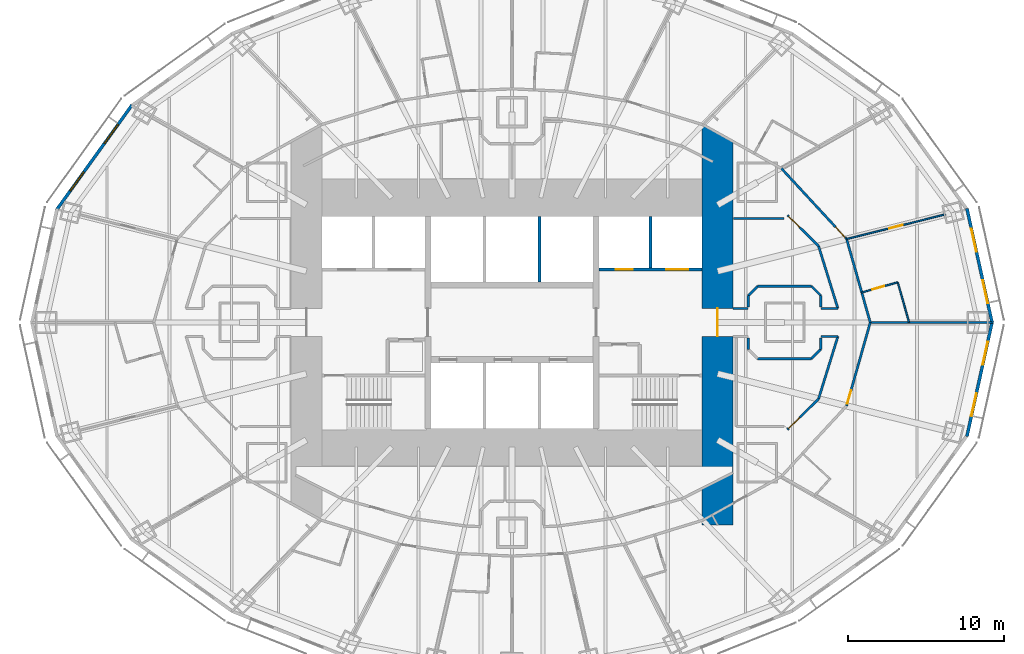
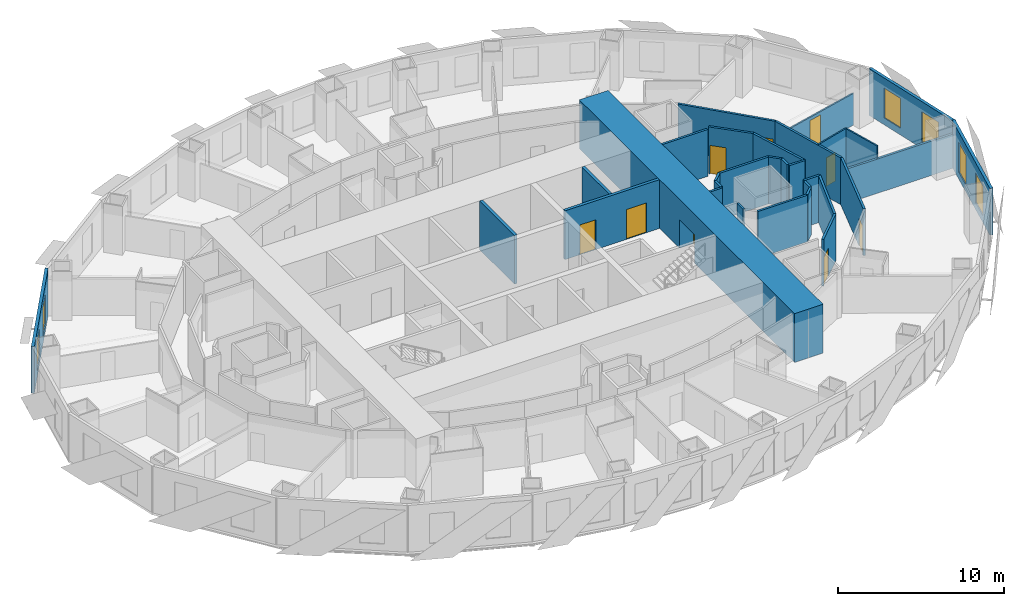
# One storey, part 8 of 15: 31 walls, 9 doors, 6 windows, 15 openings.
"""IFC4 building model written with IfcOpenShell, lengths in metres."""

import ifcopenshell
import ifcopenshell.guid

model = None  # the IFC model being written
_history = None  # IfcOwnerHistory: only IFC2X3 demands one
_inside = {}  # id of a spatial element -> (the spatial element, [elements in it])
_under = {}  # id of a project, library or spatial element -> (it, [spatial elements below it])
_declared = {}  # id of a project -> (the project, [libraries it declares])
_typed = {}  # id of a type object -> (the type object, [elements of that type])
_made_of = {}  # id of a material, layer set ... -> (it, [elements and type objects made of it])


def new_model(schema):
    """Start an empty IFC model of exactly this schema.

    Asked for "IFC4X3", IfcOpenShell would pick the latest addendum, in which some entities
    have other attributes; the version numbers below select the first issue.
    IFC2X3 requires an IfcOwnerHistory on every rooted entity: one is made here for all.
    """
    global model, _history
    if schema == "IFC4X3":
        model = ifcopenshell.file(schema_version=(4, 3, 0, 0))
    else:
        model = ifcopenshell.file(schema=schema)
    _inside.clear()
    _under.clear()
    _declared.clear()
    _typed.clear()
    _made_of.clear()
    _history = None
    if model.schema == "IFC2X3":
        org = make("IfcOrganization", Name="unknown")
        user = make(
            "IfcPersonAndOrganization",
            ThePerson=make("IfcPerson", FamilyName="unknown"),
            TheOrganization=org,
        )
        app = make(
            "IfcApplication",
            ApplicationDeveloper=org,
            Version="unknown",
            ApplicationFullName="unknown",
            ApplicationIdentifier="unknown",
        )
        _history = make(
            "IfcOwnerHistory",
            OwningUser=user,
            OwningApplication=app,
            ChangeAction="ADDED",
            CreationDate=0,
        )
    return model


def make(cls, **values):
    """One entity of the class cls with the attributes given. An attribute that is None is left unset."""
    return model.create_entity(
        cls, **{name: value for name, value in values.items() if value is not None}
    )


def rooted(cls, **values):
    """An entity with a GlobalId (a new one), such as an element, a storey or a relation."""
    return make(cls, GlobalId=ifcopenshell.guid.new(), OwnerHistory=_history, **values)


def si_unit(unit_type, name, prefix=None):
    """IfcSIUnit, for example si_unit("LENGTHUNIT", "METRE", prefix="MILLI")."""
    return make("IfcSIUnit", UnitType=unit_type, Prefix=prefix, Name=name)


def assignment(units):
    """IfcUnitAssignment: the units of a project."""
    return None if units is None else make("IfcUnitAssignment", Units=units)


def point(xyz):
    """IfcCartesianPoint."""
    return None if xyz is None else make("IfcCartesianPoint", Coordinates=xyz)


def direction(xyz):
    """IfcDirection."""
    return None if xyz is None else make("IfcDirection", DirectionRatios=xyz)


def frame(location, z_axis=None, x_axis=None):
    """IfcAxis2Placement3D, a coordinate frame: its origin and axes. An axis left out is left unset."""
    return make(
        "IfcAxis2Placement3D",
        Location=point(location),
        Axis=direction(z_axis),
        RefDirection=direction(x_axis),
    )


def frame_2d(location, x_axis=None):
    """IfcAxis2Placement2D, a coordinate frame in the plane: its origin and x axis."""
    return make(
        "IfcAxis2Placement2D", Location=point(location), RefDirection=direction(x_axis)
    )


def origin():
    """The frame at (0, 0, 0) with its axes left unset."""
    return frame((0.0, 0.0, 0.0))


def place(relative_to, where):
    """IfcLocalPlacement: puts the frame where relative to a parent placement (None: the world)."""
    return make(
        "IfcLocalPlacement", PlacementRelTo=relative_to, RelativePlacement=where
    )


def context(
    kind, dimensions, precision=None, world=None, true_north=None, identifier=None
):
    """IfcGeometricRepresentationContext, for example the 3D "Model" context."""
    return make(
        "IfcGeometricRepresentationContext",
        ContextIdentifier=identifier,
        ContextType=kind,
        CoordinateSpaceDimension=dimensions,
        Precision=precision,
        WorldCoordinateSystem=world,
        TrueNorth=true_north,
    )


def subcontext(parent, identifier, kind, view, scale=None):
    """IfcGeometricRepresentationSubContext, for example "Body" below "Model"."""
    return make(
        "IfcGeometricRepresentationSubContext",
        ContextIdentifier=identifier,
        ContextType=kind,
        ParentContext=parent,
        TargetScale=scale,
        TargetView=view,
    )


def project(units=None, contexts=None):
    """IfcProject with its units and contexts."""
    return rooted(
        "IfcProject",
        Name="project",
        RepresentationContexts=contexts,
        UnitsInContext=assignment(units),
    )


def spatial(cls, under=None, at=None, **own):
    """A site, building, storey or space (cls), placed at a placement, below another one or the project."""
    s = rooted(cls, ObjectPlacement=at, **own)
    if under is not None:
        _under.setdefault(under.id(), (under, []))[1].append(s)
    return s


def profile(cls, at=None, kind="AREA", **sizes):
    """A parametric profile (cls). Its sizes go by their IFC names, for example OverallWidth=200.0."""
    return make(cls, ProfileType=kind, Position=at, **sizes)


def rectangle(**sizes):
    """IfcRectangleProfileDef."""
    return profile("IfcRectangleProfileDef", **sizes)


def extrude(swept, where, along, depth):
    """IfcExtrudedAreaSolid: the profile swept, set in the frame where, extruded along a direction by depth."""
    return make(
        "IfcExtrudedAreaSolid",
        SweptArea=swept,
        Position=where,
        ExtrudedDirection=direction(along),
        Depth=depth,
    )


def shape(context_of_items, identifier, shape_type, items):
    """IfcShapeRepresentation: the items that make up one representation, for example the "Body"."""
    return make(
        "IfcShapeRepresentation",
        ContextOfItems=context_of_items,
        RepresentationIdentifier=identifier,
        RepresentationType=shape_type,
        Items=items,
    )


def material(Name=None, Category=None):
    """IfcMaterial."""
    return make("IfcMaterial", Name=Name, Category=Category)


def layer(
    of_material, thickness, ventilated=None, Name=None, Category=None, Priority=None
):
    """IfcMaterialLayer: one layer of a wall or slab, of a material (None: an air gap)."""
    return make(
        "IfcMaterialLayer",
        Material=of_material,
        LayerThickness=thickness,
        IsVentilated=ventilated,
        Name=Name,
        Category=Category,
        Priority=Priority,
    )


def layer_set(layers, Name=None):
    """IfcMaterialLayerSet."""
    return make("IfcMaterialLayerSet", MaterialLayers=layers, LayerSetName=Name)


def made_of(thing, what):
    """Note that an element or type object is made of a material, layer set ...; save() writes the relation."""
    if what is not None:
        _made_of.setdefault(what.id(), (what, []))[1].append(thing)
    return thing


def type_object(cls, material=None, **own):
    """A type object (cls), such as IfcWallType, which elements share."""
    return made_of(rooted(cls, **own), material)


def element(
    cls,
    number,
    at=None,
    inside=None,
    cuts=None,
    type_object=None,
    material=None,
    context=None,
    identifier="Body",
    shape_type=None,
    held_by="IfcProductDefinitionShape",
    body=None,
    shapes=None,
    **own,
):
    """One element of the class cls, such as IfcWall. Its Tag is "e" and its number.

    at: its placement. inside: the storey or other place that contains it. cuts: it is an
    opening in that element (IfcRelVoidsElement). A single representation is given by context,
    identifier, shape_type and body (its items); several are given by shapes. held_by: the class
    of the entity that holds the representations. save() writes the other relations.
    """
    e = rooted(cls, Tag="e%d" % number, ObjectPlacement=at, **own)
    if body is not None:
        shapes = [shape(context, identifier, shape_type, body)]
    if shapes is not None:
        e.Representation = make(held_by, Representations=shapes)
    if inside is not None:
        _inside.setdefault(inside.id(), (inside, []))[1].append(e)
    if cuts is not None:
        rooted(
            "IfcRelVoidsElement", RelatingBuildingElement=cuts, RelatedOpeningElement=e
        )
    if type_object is not None:
        _typed.setdefault(type_object.id(), (type_object, []))[1].append(e)
    return made_of(e, material)


def fill(opening, filler):
    """IfcRelFillsElement: the door or window that sits in an opening."""
    return rooted(
        "IfcRelFillsElement",
        RelatingOpeningElement=opening,
        RelatedBuildingElement=filler,
    )


def aggregate(whole, parts):
    """IfcRelAggregates: a whole, such as a stair, and the parts it consists of."""
    return rooted("IfcRelAggregates", RelatingObject=whole, RelatedObjects=parts)


def save(model, path):
    """Write the relations noted so far, then the file.

    IfcRelAggregates (storeys below a building ...), IfcRelContainedInSpatialStructure (elements
    in a storey), IfcRelDefinesByType, IfcRelAssociatesMaterial and IfcRelDeclares: one each for
    every whole, place, type object, material and project.
    """
    for whole, parts in _under.values():
        aggregate(whole, parts)
    for where, things in _inside.values():
        rooted(
            "IfcRelContainedInSpatialStructure",
            RelatedElements=things,
            RelatingStructure=where,
        )
    for kind, things in _typed.values():
        rooted("IfcRelDefinesByType", RelatedObjects=things, RelatingType=kind)
    for what, things in _made_of.values():
        rooted("IfcRelAssociatesMaterial", RelatedObjects=things, RelatingMaterial=what)
    for by, libraries in _declared.values():
        rooted("IfcRelDeclares", RelatingContext=by, RelatedDefinitions=libraries)
    model.write(path)


model = new_model("IFC4")

# Units and contexts
model_context = context("Model", 3, precision=1e-05, world=origin(), true_north=direction((0.0, 1.0)))
body_context = subcontext(model_context, "Body", "Model", "MODEL_VIEW")
ifc_project = project(units=[si_unit("LENGTHUNIT", "METRE"), si_unit("AREAUNIT", "SQUARE_METRE"), si_unit("VOLUMEUNIT", "CUBIC_METRE"), si_unit("PLANEANGLEUNIT", "RADIAN"), si_unit("MASSUNIT", "GRAM", prefix="KILO")], contexts=[model_context])

# Site, building, storey
site_placement = place(None, origin())
site = spatial("IfcSite", under=ifc_project, at=site_placement, CompositionType="ELEMENT")
building_placement = place(site_placement, origin())
building = spatial("IfcBuilding", under=site, at=building_placement, Name="Lantaw Convention Tower", CompositionType="ELEMENT")
storey_placement = place(building_placement, frame((0.0, 0.0, 94.60009765625)))
storey = spatial("IfcBuildingStorey", under=building, at=storey_placement, Name="L22", CompositionType="ELEMENT", Elevation=94.60009765625)

# Wall, opening, door
ifc_material_1 = material(Name="Moisture resistant gypsum board on steel studs", Category="steel")
ifc_layer_1 = layer(ifc_material_1, 0.10009765625)
ifc_layer_set_1 = layer_set([ifc_layer_1], Name="Bathroom wall 100")
wall_type_1 = type_object("IfcWallType", Name="Bathroom wall 100", PredefinedType="PARTITIONING", material=ifc_layer_set_1)
wall_1_placement = place(storey_placement, frame((22.455078125, 1.92431640625, 0.0), z_axis=(0.0, 0.0, 1.0), x_axis=(0.962181399457, 0.272409534596, 0.0)))
wall_1 = element("IfcWall", 1, at=wall_1_placement, inside=storey, type_object=wall_type_1, Name="Bathroom wall 100", PredefinedType="PARTITIONING", context=body_context, shape_type="SweptSolid", body=[
    extrude(rectangle(XDim=2.400146484375, YDim=0.10009765625, at=frame_2d((1.2001953125, 0.0))), origin(), (0.0, 0.0, 1.0), 3.449951171875),
])
opening_1_placement = place(wall_1_placement, frame((0.699951171875, 0.0, 0.0)))
opening_1 = element("IfcOpeningElement", 2, at=opening_1_placement, cuts=wall_1, Name="Opening L22.25", PredefinedType="OPENING", context=body_context, shape_type="SweptSolid", body=[
    extrude(rectangle(XDim=0.800048828125, YDim=2.10009765625, at=frame_2d((0.39990234375, 1.050048828125))), frame((0.0, 0.06005859375, 0.0), z_axis=(0.0, -1.0, 0.0), x_axis=(1.0, 0.0, 0.0)), (0.0, 0.0, 1.0), 0.1201171875),
])
ifc_material_2 = material(Name="Timber", Category="wood")
door_type_1 = type_object("IfcDoorType", Name="Bathroom door 800", OperationType="SINGLE_SWING_LEFT", PredefinedType="DOOR", material=ifc_material_2)
door_1_placement = place(opening_1_placement, origin())
door_1 = element("IfcDoor", 3, at=door_1_placement, inside=storey, type_object=door_type_1, Name="Bathroom door", OperationType="SINGLE_SWING_LEFT", OverallHeight=2.10009765625, OverallWidth=0.800048828125, PredefinedType="DOOR", context=body_context, shape_type="SweptSolid", body=[
    extrude(rectangle(XDim=0.800048828125, YDim=2.10009765625, at=frame_2d((0.39990234375, 1.050048828125))), frame((0.0, 0.02490234375, 0.0), z_axis=(0.0, -1.0, 0.0), x_axis=(1.0, 0.0, 0.0)), (0.0, 0.0, 1.0), 0.050048828125),
])
fill(opening_1, door_1)

# Wall
wall_2_placement = place(storey_placement, frame((24.764404296875, 2.578125, 0.0), z_axis=(0.0, 0.0, 1.0), x_axis=(0.272433880153, -0.962174506493, 0.0)))
element("IfcWall", 4, at=wall_2_placement, inside=storey, type_object=wall_type_1, Name="Bathroom wall 100", PredefinedType="PARTITIONING", context=body_context, shape_type="SweptSolid", body=[
    extrude(rectangle(XDim=2.679443359375, YDim=0.10009765625, at=frame_2d((1.33984375, 0.0))), origin(), (0.0, 0.0, 1.0), 3.449951171875),
])

# Wall, opening, door
ifc_material_3 = material(Name="Concrete C60/75", Category="concrete")
ifc_layer_2 = layer(ifc_material_3, 2.0)
ifc_layer_set_2 = layer_set([ifc_layer_2], Name="Core wall 2000")
wall_type_2 = type_object("IfcWallType", Name="Core wall 2000", PredefinedType="SHEAR", material=ifc_layer_set_2)
wall_3_placement = place(storey_placement, frame((13.199951171875, -13.0, 0.0), z_axis=(0.0, 0.0, 1.0), x_axis=(0.0, 1.0, 0.0)))
wall_3 = element("IfcWall", 5, at=wall_3_placement, inside=storey, type_object=wall_type_2, Name="Core wall E", PredefinedType="SHEAR", context=body_context, shape_type="SweptSolid", body=[
    extrude(rectangle(XDim=26.0, YDim=2.0, at=frame_2d((13.0, 0.0))), origin(), (0.0, 0.0, 1.0), 3.599853515625),
])
opening_2_placement = place(wall_3_placement, frame((12.10009765625, 0.0, 0.0)))
opening_2 = element("IfcOpeningElement", 6, at=opening_2_placement, cuts=wall_3, Name="Opening L22.07", PredefinedType="OPENING", context=body_context, shape_type="SweptSolid", body=[
    extrude(rectangle(XDim=1.800048828125, YDim=2.10009765625, at=frame_2d((0.89990234375, 1.050048828125))), frame((0.0, 1.010009765625, 0.0), z_axis=(0.0, -1.0, 0.0), x_axis=(1.0, 0.0, 0.0)), (0.0, 0.0, 1.0), 2.02001953125),
])
ifc_material_4 = material(Name="Steel, fire rated", Category="steel")
door_type_2 = type_object("IfcDoorType", Name="Lobby double door FD90", OperationType="DOUBLE_DOOR_DOUBLE_SWING", PredefinedType="DOOR", material=ifc_material_4)
door_2_placement = place(opening_2_placement, origin())
door_2 = element("IfcDoor", 7, at=door_2_placement, inside=storey, type_object=door_type_2, Name="Firefighting lobby door", OperationType="DOUBLE_DOOR_DOUBLE_SWING", OverallHeight=2.10009765625, OverallWidth=1.800048828125, PredefinedType="DOOR", context=body_context, shape_type="SweptSolid", body=[
    extrude(rectangle(XDim=1.800048828125, YDim=2.10009765625, at=frame_2d((0.89990234375, 1.050048828125))), frame((0.0, 0.02490234375, 0.0), z_axis=(0.0, -1.0, 0.0), x_axis=(1.0, 0.0, 0.0)), (0.0, 0.0, 1.0), 0.050048828125),
])
fill(opening_2, door_2)

# Wall
ifc_material_5 = material(Name="Gypsum board on steel studs, fire rated", Category="steel")
ifc_layer_3 = layer(ifc_material_5, 0.14990234375)
ifc_layer_set_3 = layer_set([ifc_layer_3], Name="Corridor wall 150 EI 60")
wall_type_3 = type_object("IfcWallType", Name="Corridor wall 150 EI 60", PredefinedType="PARTITIONING", material=ifc_layer_set_3)
wall_4_placement = place(storey_placement, frame((23.0, 0.0, 0.0), z_axis=(0.0, 0.0, 1.0), x_axis=(-0.272386051236, 0.962188047677, 0.0)))
element("IfcWall", 8, at=wall_4_placement, inside=storey, type_object=wall_type_3, Name="Corridor wall 150", PredefinedType="PARTITIONING", context=body_context, shape_type="SweptSolid", body=[
    extrude(rectangle(XDim=5.56689453125, YDim=0.14990234375, at=frame_2d((2.783447265625, 0.0))), origin(), (0.0, 0.0, 1.0), 3.449951171875),
])

# Wall, opening, door
wall_5_placement = place(storey_placement, frame((21.483642578125, 5.3564453125, 0.0), z_axis=(0.0, 0.0, 1.0), x_axis=(-0.678641806296, 0.734469399463, 0.0)))
wall_5 = element("IfcWall", 9, at=wall_5_placement, inside=storey, type_object=wall_type_3, Name="Corridor wall 150", PredefinedType="PARTITIONING", context=body_context, shape_type="SweptSolid", body=[
    extrude(rectangle(XDim=6.166015625, YDim=0.14990234375, at=frame_2d((3.0830078125, 0.0))), origin(), (0.0, 0.0, 1.0), 3.449951171875),
])
opening_3_placement = place(wall_5_placement, frame((0.14990234375, 0.0, 0.0)))
opening_3 = element("IfcOpeningElement", 10, at=opening_3_placement, cuts=wall_5, Name="Opening L22.27", PredefinedType="OPENING", context=body_context, shape_type="SweptSolid", body=[
    extrude(rectangle(XDim=0.89990234375, YDim=2.10009765625, at=frame_2d((0.449951171875, 1.050048828125))), frame((0.0, 0.0849609375, 0.0), z_axis=(0.0, -1.0, 0.0), x_axis=(1.0, 0.0, 0.0)), (0.0, 0.0, 1.0), 0.169921875),
])
door_type_3 = type_object("IfcDoorType", Name="Guest room entrance door FD30S", OperationType="SINGLE_SWING_LEFT", PredefinedType="DOOR", material=ifc_material_4)
door_3_placement = place(opening_3_placement, origin())
door_3 = element("IfcDoor", 11, at=door_3_placement, inside=storey, type_object=door_type_3, Name="Suite entrance door", OperationType="SINGLE_SWING_LEFT", OverallHeight=2.10009765625, OverallWidth=0.89990234375, PredefinedType="DOOR", context=body_context, shape_type="SweptSolid", body=[
    extrude(rectangle(XDim=0.89990234375, YDim=2.10009765625, at=frame_2d((0.449951171875, 1.050048828125))), frame((0.0, 0.02490234375, 0.0), z_axis=(0.0, -1.0, 0.0), x_axis=(1.0, 0.0, 0.0)), (0.0, 0.0, 1.0), 0.050048828125),
])
fill(opening_3, door_3)

wall_6_placement = place(storey_placement, frame((21.483642578125, -5.3564453125, 0.0), z_axis=(0.0, 0.0, 1.0), x_axis=(0.272386051236, 0.962188047677, 0.0)))
wall_6 = element("IfcWall", 12, at=wall_6_placement, inside=storey, type_object=wall_type_3, Name="Corridor wall 150", PredefinedType="PARTITIONING", context=body_context, shape_type="SweptSolid", body=[
    extrude(rectangle(XDim=5.56689453125, YDim=0.14990234375, at=frame_2d((2.783447265625, 0.0))), origin(), (0.0, 0.0, 1.0), 3.449951171875),
])
opening_4_placement = place(wall_6_placement, frame((0.14990234375, 0.0, 0.0)))
opening_4 = element("IfcOpeningElement", 13, at=opening_4_placement, cuts=wall_6, Name="Opening L22.56", PredefinedType="OPENING", context=body_context, shape_type="SweptSolid", body=[
    extrude(rectangle(XDim=0.89990234375, YDim=2.10009765625, at=frame_2d((0.449951171875, 1.050048828125))), frame((0.0, 0.0849609375, 0.0), z_axis=(0.0, -1.0, 0.0), x_axis=(1.0, 0.0, 0.0)), (0.0, 0.0, 1.0), 0.169921875),
])
door_4_placement = place(opening_4_placement, origin())
door_4 = element("IfcDoor", 14, at=door_4_placement, inside=storey, type_object=door_type_3, Name="Junior suite entrance door", OperationType="SINGLE_SWING_LEFT", OverallHeight=2.10009765625, OverallWidth=0.89990234375, PredefinedType="DOOR", context=body_context, shape_type="SweptSolid", body=[
    extrude(rectangle(XDim=0.89990234375, YDim=2.10009765625, at=frame_2d((0.449951171875, 1.050048828125))), frame((0.0, 0.02490234375, 0.0), z_axis=(0.0, -1.0, 0.0), x_axis=(1.0, 0.0, 0.0)), (0.0, 0.0, 1.0), 0.050048828125),
])
fill(opening_4, door_4)

# Walls
for number, where, z_axis, x_axis, name in (
    (15, (20.92138671875, 0.89990234375, 0.0), (0.0, 0.0, 1.0), (-0.295778570807, 0.955256529447, 0.0), "Corridor wall 150"),
    (16, (19.6806640625, -4.906982421875, 0.0), (0.0, 0.0, 1.0), (0.295778570807, 0.955256529447, 0.0), "Corridor wall 150"),
):
    element("IfcWall", number, at=place(storey_placement, frame(where, z_axis=z_axis, x_axis=x_axis)), inside=storey, type_object=wall_type_3, Name=name, PredefinedType="PARTITIONING", context=body_context, shape_type="SweptSolid", body=[
        extrude(rectangle(XDim=4.19482421875, YDim=0.14990234375, at=frame_2d((2.097412109375, 0.0))), origin(), (0.0, 0.0, 1.0), 3.449951171875),
    ])

# Wall, opening, door
wall_7_placement = place(storey_placement, frame((17.690185546875, -6.87646484375, 0.0), z_axis=(0.0, 0.0, 1.0), x_axis=(0.710845937688, 0.70334774676, 0.0)))
wall_7 = element("IfcWall", 17, at=wall_7_placement, inside=storey, type_object=wall_type_3, Name="Corridor wall 150", PredefinedType="PARTITIONING", context=body_context, shape_type="SweptSolid", body=[
    extrude(rectangle(XDim=2.800048828125, YDim=0.14990234375, at=frame_2d((1.39990234375, 0.0))), origin(), (0.0, 0.0, 1.0), 3.449951171875),
])
opening_5_placement = place(wall_7_placement, frame((0.10009765625, 0.0, 0.0)))
opening_5 = element("IfcOpeningElement", 18, at=opening_5_placement, cuts=wall_7, Name="Opening L22.24", PredefinedType="OPENING", context=body_context, shape_type="SweptSolid", body=[
    extrude(rectangle(XDim=1.0, YDim=2.10009765625, at=frame_2d((0.5, 1.050048828125))), frame((0.0, 0.0849609375, 0.0), z_axis=(0.0, -1.0, 0.0), x_axis=(1.0, 0.0, 0.0)), (0.0, 0.0, 1.0), 0.169921875),
])
door_type_4 = type_object("IfcDoorType", Name="Service door 1000 FD30", OperationType="SINGLE_SWING_LEFT", PredefinedType="DOOR", material=ifc_material_4)
door_5_placement = place(opening_5_placement, origin())
door_5 = element("IfcDoor", 19, at=door_5_placement, inside=storey, type_object=door_type_4, Name="Room service pantry door", OperationType="SINGLE_SWING_LEFT", OverallHeight=2.10009765625, OverallWidth=1.0, PredefinedType="DOOR", context=body_context, shape_type="SweptSolid", body=[
    extrude(rectangle(XDim=1.0, YDim=2.10009765625, at=frame_2d((0.5, 1.050048828125))), frame((0.0, 0.02490234375, 0.0), z_axis=(0.0, -1.0, 0.0), x_axis=(1.0, 0.0, 0.0)), (0.0, 0.0, 1.0), 0.050048828125),
])
fill(opening_5, door_5)

wall_8_placement = place(storey_placement, frame((19.6806640625, 4.906982421875, 0.0), z_axis=(0.0, 0.0, 1.0), x_axis=(-0.710845937688, 0.70334774676, 0.0)))
wall_8 = element("IfcWall", 20, at=wall_8_placement, inside=storey, type_object=wall_type_3, Name="Corridor wall 150", PredefinedType="PARTITIONING", context=body_context, shape_type="SweptSolid", body=[
    extrude(rectangle(XDim=2.800048828125, YDim=0.14990234375, at=frame_2d((1.39990234375, 0.0))), origin(), (0.0, 0.0, 1.0), 3.449951171875),
])
opening_6_placement = place(wall_8_placement, frame((1.699951171875, 0.0, 0.0)))
opening_6 = element("IfcOpeningElement", 21, at=opening_6_placement, cuts=wall_8, Name="Opening L22.17", PredefinedType="OPENING", context=body_context, shape_type="SweptSolid", body=[
    extrude(rectangle(XDim=1.0, YDim=2.10009765625, at=frame_2d((0.5, 1.050048828125))), frame((0.0, 0.0849609375, 0.0), z_axis=(0.0, -1.0, 0.0), x_axis=(1.0, 0.0, 0.0)), (0.0, 0.0, 1.0), 0.169921875),
])
door_6_placement = place(opening_6_placement, origin())
door_6 = element("IfcDoor", 22, at=door_6_placement, inside=storey, type_object=door_type_4, Name="Linen store door", OperationType="SINGLE_SWING_LEFT", OverallHeight=2.10009765625, OverallWidth=1.0, PredefinedType="DOOR", context=body_context, shape_type="SweptSolid", body=[
    extrude(rectangle(XDim=1.0, YDim=2.10009765625, at=frame_2d((0.5, 1.050048828125))), frame((0.0, 0.02490234375, 0.0), z_axis=(0.0, -1.0, 0.0), x_axis=(1.0, 0.0, 0.0)), (0.0, 0.0, 1.0), 0.050048828125),
])
fill(opening_6, door_6)

# Walls
wall_9_placement = place(storey_placement, frame((17.474609375, 6.675048828125, 0.0), z_axis=(0.0, 0.0, 1.0), x_axis=(-1.0, 0.0, 0.0)))
element("IfcWall", 23, at=wall_9_placement, inside=storey, type_object=wall_type_3, Name="Corridor wall 150", PredefinedType="PARTITIONING", context=body_context, shape_type="SweptSolid", body=[
    extrude(rectangle(XDim=3.24462890625, YDim=0.14990234375, at=frame_2d((1.622314453125, 0.0))), origin(), (0.0, 0.0, 1.0), 3.449951171875),
])
wall_10_placement = place(storey_placement, frame((19.8349609375, -0.89990234375, 0.0), z_axis=(0.0, 0.0, 1.0), x_axis=(1.0, 0.0, 0.0)))
element("IfcWall", 24, at=wall_10_placement, inside=storey, type_object=wall_type_3, Name="Corridor wall 150", PredefinedType="PARTITIONING", context=body_context, shape_type="SweptSolid", body=[
    extrude(rectangle(XDim=1.08642578125, YDim=0.14990234375, at=frame_2d((0.543212890625, 0.0))), origin(), (0.0, 0.0, 1.0), 3.449951171875),
])
wall_11_placement = place(storey_placement, frame((14.199951171875, 0.89990234375, 0.0), z_axis=(0.0, 0.0, 1.0), x_axis=(1.0, 0.0, 0.0)))
element("IfcWall", 25, at=wall_11_placement, inside=storey, type_object=wall_type_3, Name="Corridor wall 150", PredefinedType="PARTITIONING", context=body_context, shape_type="SweptSolid", body=[
    extrude(rectangle(XDim=0.965087890625, YDim=0.14990234375, at=frame_2d((0.482421875, 0.0))), origin(), (0.0, 0.0, 1.0), 3.449951171875),
])
wall_12_placement = place(storey_placement, frame((19.8349609375, 0.89990234375, 0.0), z_axis=(0.0, 0.0, 1.0), x_axis=(1.0, 0.0, 0.0)))
element("IfcWall", 26, at=wall_12_placement, inside=storey, type_object=wall_type_3, Name="Corridor wall 150", PredefinedType="PARTITIONING", context=body_context, shape_type="SweptSolid", body=[
    extrude(rectangle(XDim=1.08642578125, YDim=0.14990234375, at=frame_2d((0.543212890625, 0.0))), origin(), (0.0, 0.0, 1.0), 3.449951171875),
])
wall_13_placement = place(storey_placement, frame((15.175048828125, 1.003173828125, 0.0), z_axis=(0.0, 0.0, 1.0), x_axis=(0.0, 1.0, 0.0)))
element("IfcWall", 27, at=wall_13_placement, inside=storey, type_object=wall_type_3, Name="Corridor wall 150", PredefinedType="PARTITIONING", context=body_context, shape_type="SweptSolid", body=[
    extrude(rectangle(XDim=0.721435546875, YDim=0.14990234375, at=frame_2d((0.36083984375, 0.0))), origin(), (0.0, 0.0, 1.0), 3.449951171875),
])
wall_14_placement = place(storey_placement, frame((15.175048828125, 1.724609375, 0.0), z_axis=(0.0, 0.0, 1.0), x_axis=(0.707106781187, 0.707106781187, 0.0)))
element("IfcWall", 28, at=wall_14_placement, inside=storey, type_object=wall_type_3, Name="Corridor wall 150", PredefinedType="PARTITIONING", context=body_context, shape_type="SweptSolid", body=[
    extrude(rectangle(XDim=0.84912109375, YDim=0.14990234375, at=frame_2d((0.424560546875, 0.0))), origin(), (0.0, 0.0, 1.0), 3.449951171875),
])
wall_15_placement = place(storey_placement, frame((15.775390625, 2.324951171875, 0.0), z_axis=(0.0, 0.0, 1.0), x_axis=(1.0, 0.0, 0.0)))
element("IfcWall", 29, at=wall_15_placement, inside=storey, type_object=wall_type_3, Name="Corridor wall 150", PredefinedType="PARTITIONING", context=body_context, shape_type="SweptSolid", body=[
    extrude(rectangle(XDim=3.44921875, YDim=0.14990234375, at=frame_2d((1.724609375, 0.0))), origin(), (0.0, 0.0, 1.0), 3.449951171875),
])
wall_16_placement = place(storey_placement, frame((19.224609375, 2.324951171875, 0.0), z_axis=(0.0, 0.0, 1.0), x_axis=(0.707106781187, -0.707106781187, 0.0)))
element("IfcWall", 30, at=wall_16_placement, inside=storey, type_object=wall_type_3, Name="Corridor wall 150", PredefinedType="PARTITIONING", context=body_context, shape_type="SweptSolid", body=[
    extrude(rectangle(XDim=0.84912109375, YDim=0.14990234375, at=frame_2d((0.424560546875, 0.0))), origin(), (0.0, 0.0, 1.0), 3.449951171875),
])
for number, where, z_axis, x_axis, name in (
    (31, (19.824951171875, 1.724609375, 0.0), (0.0, 0.0, 1.0), (0.0, -1.0, 0.0), "Corridor wall 150"),
    (32, (15.175048828125, -1.724609375, 0.0), (0.0, 0.0, 1.0), (0.0, 1.0, 0.0), "Corridor wall 150"),
    (33, (19.824951171875, -1.003173828125, 0.0), (0.0, 0.0, 1.0), (0.0, -1.0, 0.0), "Corridor wall 150"),
):
    element("IfcWall", number, at=place(storey_placement, frame(where, z_axis=z_axis, x_axis=x_axis)), inside=storey, type_object=wall_type_3, Name=name, PredefinedType="PARTITIONING", context=body_context, shape_type="SweptSolid", body=[
        extrude(rectangle(XDim=0.721435546875, YDim=0.14990234375, at=frame_2d((0.36083984375, 0.0))), origin(), (0.0, 0.0, 1.0), 3.449951171875),
    ])
wall_17_placement = place(storey_placement, frame((19.824951171875, -1.724609375, 0.0), z_axis=(0.0, 0.0, 1.0), x_axis=(-0.707106781187, -0.707106781187, 0.0)))
element("IfcWall", 34, at=wall_17_placement, inside=storey, type_object=wall_type_3, Name="Corridor wall 150", PredefinedType="PARTITIONING", context=body_context, shape_type="SweptSolid", body=[
    extrude(rectangle(XDim=0.84912109375, YDim=0.14990234375, at=frame_2d((0.424560546875, 0.0))), origin(), (0.0, 0.0, 1.0), 3.449951171875),
])
wall_18_placement = place(storey_placement, frame((19.224609375, -2.324951171875, 0.0), z_axis=(0.0, 0.0, 1.0), x_axis=(-1.0, 0.0, 0.0)))
element("IfcWall", 35, at=wall_18_placement, inside=storey, type_object=wall_type_3, Name="Corridor wall 150", PredefinedType="PARTITIONING", context=body_context, shape_type="SweptSolid", body=[
    extrude(rectangle(XDim=3.44921875, YDim=0.14990234375, at=frame_2d((1.724609375, 0.0))), origin(), (0.0, 0.0, 1.0), 3.449951171875),
])

# Wall, openings, windows
ifc_material_6 = material(Name="Insulated aluminium panel on steel frame", Category="steel")
ifc_layer_4 = layer(ifc_material_6, 0.199951171875)
ifc_layer_set_4 = layer_set([ifc_layer_4], Name="External wall 200")
wall_type_4 = type_object("IfcWallType", Name="External wall 200", PredefinedType="SOLIDWALL", material=ifc_layer_set_4)
wall_19_placement = place(storey_placement, frame((30.83544921875, -0.06689453125, 0.0), z_axis=(0.0, 0.0, 1.0), x_axis=(-0.215238065514, 0.976561608478, 0.0)))
wall_19 = element("IfcWall", 36, at=wall_19_placement, inside=storey, type_object=wall_type_4, Name="Facade panel wall", PredefinedType="SOLIDWALL", context=body_context, shape_type="SweptSolid", body=[
    extrude(rectangle(XDim=7.562255859375, YDim=0.199951171875, at=frame_2d((3.78125, 0.0))), origin(), (0.0, 0.0, 1.0), 3.449951171875),
])
opening_7_placement = place(wall_19_placement, frame((1.340576171875, 0.0, 0.5)))
opening_7 = element("IfcOpeningElement", 37, at=opening_7_placement, cuts=wall_19, Name="Opening W2", PredefinedType="OPENING", context=body_context, shape_type="SweptSolid", body=[
    extrude(rectangle(XDim=1.5, YDim=2.199951171875, at=frame_2d((0.75, 1.10009765625))), frame((0.0, 0.10986328125, 0.0), z_axis=(0.0, -1.0, 0.0), x_axis=(1.0, 0.0, 0.0)), (0.0, 0.0, 1.0), 0.219970703125),
])
opening_8_placement = place(wall_19_placement, frame((4.7216796875, 0.0, 0.5)))
opening_8 = element("IfcOpeningElement", 38, at=opening_8_placement, cuts=wall_19, Name="Opening W2", PredefinedType="OPENING", context=body_context, shape_type="SweptSolid", body=[
    extrude(rectangle(XDim=1.5, YDim=2.199951171875, at=frame_2d((0.75, 1.10009765625))), frame((0.0, 0.10986328125, 0.0), z_axis=(0.0, -1.0, 0.0), x_axis=(1.0, 0.0, 0.0)), (0.0, 0.0, 1.0), 0.219970703125),
])
ifc_material_7 = material(Name="Aluminium frame, clear insulating glass", Category="aluminium")
window_type = type_object("IfcWindowType", Name="Suite window 1500x2200", PartitioningType="SINGLE_PANEL", PredefinedType="WINDOW", material=ifc_material_7)
window_1_placement = place(opening_7_placement, origin())
window_1 = element("IfcWindow", 39, at=window_1_placement, inside=storey, type_object=window_type, Name="Guest room window", OverallHeight=2.199951171875, OverallWidth=1.5, PartitioningType="SINGLE_PANEL", PredefinedType="WINDOW", context=body_context, shape_type="SweptSolid", body=[
    extrude(rectangle(XDim=1.5, YDim=2.199951171875, at=frame_2d((0.75, 1.10009765625))), frame((0.0, 0.030029296875, 0.0), z_axis=(0.0, -1.0, 0.0), x_axis=(1.0, 0.0, 0.0)), (0.0, 0.0, 1.0), 0.06005859375),
])
fill(opening_7, window_1)
window_2_placement = place(opening_8_placement, origin())
window_2 = element("IfcWindow", 40, at=window_2_placement, inside=storey, type_object=window_type, Name="Guest room window", OverallHeight=2.199951171875, OverallWidth=1.5, PartitioningType="SINGLE_PANEL", PredefinedType="WINDOW", context=body_context, shape_type="SweptSolid", body=[
    extrude(rectangle(XDim=1.5, YDim=2.199951171875, at=frame_2d((0.75, 1.10009765625))), frame((0.0, 0.030029296875, 0.0), z_axis=(0.0, -1.0, 0.0), x_axis=(1.0, 0.0, 0.0)), (0.0, 0.0, 1.0), 0.06005859375),
])
fill(opening_8, window_2)

wall_20_placement = place(storey_placement, frame((-24.400390625, 13.95654296875, 0.0), z_axis=(0.0, 0.0, 1.0), x_axis=(-0.583937613703, -0.811798536155, 0.0)))
wall_20 = element("IfcWall", 41, at=wall_20_placement, inside=storey, type_object=wall_type_4, Name="Facade panel wall", PredefinedType="SOLIDWALL", context=body_context, shape_type="SweptSolid", body=[
    extrude(rectangle(XDim=8.322998046875, YDim=0.199951171875, at=frame_2d((4.16162109375, 0.0))), origin(), (0.0, 0.0, 1.0), 3.449951171875),
])
opening_9_placement = place(wall_20_placement, frame((1.53076171875, 0.0, 0.5)))
opening_9 = element("IfcOpeningElement", 42, at=opening_9_placement, cuts=wall_20, Name="Opening W2", PredefinedType="OPENING", context=body_context, shape_type="SweptSolid", body=[
    extrude(rectangle(XDim=1.5, YDim=2.199951171875, at=frame_2d((0.75, 1.10009765625))), frame((0.0, 0.10986328125, 0.0), z_axis=(0.0, -1.0, 0.0), x_axis=(1.0, 0.0, 0.0)), (0.0, 0.0, 1.0), 0.219970703125),
])
opening_10_placement = place(wall_20_placement, frame((5.292236328125, 0.0, 0.5)))
opening_10 = element("IfcOpeningElement", 43, at=opening_10_placement, cuts=wall_20, Name="Opening W2", PredefinedType="OPENING", context=body_context, shape_type="SweptSolid", body=[
    extrude(rectangle(XDim=1.5, YDim=2.199951171875, at=frame_2d((0.75, 1.10009765625))), frame((0.0, 0.10986328125, 0.0), z_axis=(0.0, -1.0, 0.0), x_axis=(1.0, 0.0, 0.0)), (0.0, 0.0, 1.0), 0.219970703125),
])
window_3_placement = place(opening_9_placement, origin())
window_3 = element("IfcWindow", 44, at=window_3_placement, inside=storey, type_object=window_type, Name="Guest room window", OverallHeight=2.199951171875, OverallWidth=1.5, PartitioningType="SINGLE_PANEL", PredefinedType="WINDOW", context=body_context, shape_type="SweptSolid", body=[
    extrude(rectangle(XDim=1.5, YDim=2.199951171875, at=frame_2d((0.75, 1.10009765625))), frame((0.0, 0.030029296875, 0.0), z_axis=(0.0, -1.0, 0.0), x_axis=(1.0, 0.0, 0.0)), (0.0, 0.0, 1.0), 0.06005859375),
])
fill(opening_9, window_3)
window_4_placement = place(opening_10_placement, origin())
window_4 = element("IfcWindow", 45, at=window_4_placement, inside=storey, type_object=window_type, Name="Guest room window", OverallHeight=2.199951171875, OverallWidth=1.5, PartitioningType="SINGLE_PANEL", PredefinedType="WINDOW", context=body_context, shape_type="SweptSolid", body=[
    extrude(rectangle(XDim=1.5, YDim=2.199951171875, at=frame_2d((0.75, 1.10009765625))), frame((0.0, 0.030029296875, 0.0), z_axis=(0.0, -1.0, 0.0), x_axis=(1.0, 0.0, 0.0)), (0.0, 0.0, 1.0), 0.06005859375),
])
fill(opening_10, window_4)

wall_21_placement = place(storey_placement, frame((29.207763671875, -7.318115234375, 0.0), z_axis=(0.0, 0.0, 1.0), x_axis=(0.215238065514, 0.976561608478, 0.0)))
wall_21 = element("IfcWall", 46, at=wall_21_placement, inside=storey, type_object=wall_type_4, Name="Facade panel wall", PredefinedType="SOLIDWALL", context=body_context, shape_type="SweptSolid", body=[
    extrude(rectangle(XDim=7.562255859375, YDim=0.199951171875, at=frame_2d((3.78125, 0.0))), origin(), (0.0, 0.0, 1.0), 3.449951171875),
])
opening_11_placement = place(wall_21_placement, frame((1.340576171875, 0.0, 0.5)))
opening_11 = element("IfcOpeningElement", 47, at=opening_11_placement, cuts=wall_21, Name="Opening W2", PredefinedType="OPENING", context=body_context, shape_type="SweptSolid", body=[
    extrude(rectangle(XDim=1.5, YDim=2.199951171875, at=frame_2d((0.75, 1.10009765625))), frame((0.0, 0.10986328125, 0.0), z_axis=(0.0, -1.0, 0.0), x_axis=(1.0, 0.0, 0.0)), (0.0, 0.0, 1.0), 0.219970703125),
])
opening_12_placement = place(wall_21_placement, frame((4.7216796875, 0.0, 0.5)))
opening_12 = element("IfcOpeningElement", 48, at=opening_12_placement, cuts=wall_21, Name="Opening W2", PredefinedType="OPENING", context=body_context, shape_type="SweptSolid", body=[
    extrude(rectangle(XDim=1.5, YDim=2.199951171875, at=frame_2d((0.75, 1.10009765625))), frame((0.0, 0.10986328125, 0.0), z_axis=(0.0, -1.0, 0.0), x_axis=(1.0, 0.0, 0.0)), (0.0, 0.0, 1.0), 0.219970703125),
])
window_5_placement = place(opening_11_placement, origin())
window_5 = element("IfcWindow", 49, at=window_5_placement, inside=storey, type_object=window_type, Name="Guest room window", OverallHeight=2.199951171875, OverallWidth=1.5, PartitioningType="SINGLE_PANEL", PredefinedType="WINDOW", context=body_context, shape_type="SweptSolid", body=[
    extrude(rectangle(XDim=1.5, YDim=2.199951171875, at=frame_2d((0.75, 1.10009765625))), frame((0.0, 0.030029296875, 0.0), z_axis=(0.0, -1.0, 0.0), x_axis=(1.0, 0.0, 0.0)), (0.0, 0.0, 1.0), 0.06005859375),
])
fill(opening_11, window_5)
window_6_placement = place(opening_12_placement, origin())
window_6 = element("IfcWindow", 50, at=window_6_placement, inside=storey, type_object=window_type, Name="Guest room window", OverallHeight=2.199951171875, OverallWidth=1.5, PartitioningType="SINGLE_PANEL", PredefinedType="WINDOW", context=body_context, shape_type="SweptSolid", body=[
    extrude(rectangle(XDim=1.5, YDim=2.199951171875, at=frame_2d((0.75, 1.10009765625))), frame((0.0, 0.030029296875, 0.0), z_axis=(0.0, -1.0, 0.0), x_axis=(1.0, 0.0, 0.0)), (0.0, 0.0, 1.0), 0.06005859375),
])
fill(opening_12, window_6)

# Walls
ifc_material_8 = material(Name="Gypsum board on steel studs, acoustic", Category="steel")
ifc_layer_5 = layer(ifc_material_8, 0.14990234375)
ifc_layer_set_5 = layer_set([ifc_layer_5], Name="Guest room party wall 150")
wall_type_5 = type_object("IfcWallType", Name="Guest room party wall 150", PredefinedType="PARTITIONING", material=ifc_layer_set_5)
wall_22_placement = place(storey_placement, frame((30.82080078125, 0.0, 0.0), z_axis=(0.0, 0.0, 1.0), x_axis=(-1.0, 0.0, 0.0)))
element("IfcWall", 51, at=wall_22_placement, inside=storey, type_object=wall_type_5, Name="Guest room party wall 150", PredefinedType="PARTITIONING", context=body_context, shape_type="SweptSolid", body=[
    extrude(rectangle(XDim=7.82080078125, YDim=0.14990234375, at=frame_2d((3.910400390625, 0.0))), origin(), (0.0, 0.0, 1.0), 2.52783203125),
])
ifc_material_9 = material(Name="Concrete blockwork, fire rated", Category="masonry")
ifc_layer_6 = layer(ifc_material_9, 0.199951171875)
ifc_layer_set_6 = layer_set([ifc_layer_6], Name="Shaft wall 200")
wall_type_6 = type_object("IfcWallType", Name="Shaft wall 200", PredefinedType="SOLIDWALL", material=ifc_layer_set_6)
wall_23_placement = place(storey_placement, frame((1.7666015625, 2.60009765625, 0.0), z_axis=(0.0, 0.0, 1.0), x_axis=(0.0, 1.0, 0.0)))
element("IfcWall", 52, at=wall_23_placement, inside=storey, type_object=wall_type_6, Name="Shaft wall DN2", PredefinedType="SOLIDWALL", context=body_context, shape_type="SweptSolid", body=[
    extrude(rectangle(XDim=4.199951171875, YDim=0.199951171875, at=frame_2d((2.10009765625, 0.0))), origin(), (0.0, 0.0, 1.0), 3.599853515625),
])

# Wall, openings, doors
wall_24_placement = place(storey_placement, frame((12.199951171875, 3.39990234375, 0.0), z_axis=(0.0, 0.0, 1.0), x_axis=(-1.0, 0.0, 0.0)))
wall_24 = element("IfcWall", 53, at=wall_24_placement, inside=storey, type_object=wall_type_6, Name="Shaft wall EN", PredefinedType="SOLIDWALL", context=body_context, shape_type="SweptSolid", body=[
    extrude(rectangle(XDim=6.599853515625, YDim=0.199951171875, at=frame_2d((3.2998046875, 0.0))), origin(), (0.0, 0.0, 1.0), 3.599853515625),
])
opening_13_placement = place(wall_24_placement, frame((4.449951171875, 0.0, 0.0)))
opening_13 = element("IfcOpeningElement", 54, at=opening_13_placement, cuts=wall_24, Name="Opening L22.14", PredefinedType="OPENING", context=body_context, shape_type="SweptSolid", body=[
    extrude(rectangle(XDim=1.10009765625, YDim=2.199951171875, at=frame_2d((0.550048828125, 1.10009765625))), frame((0.0, 0.10986328125, 0.0), z_axis=(0.0, -1.0, 0.0), x_axis=(1.0, 0.0, 0.0)), (0.0, 0.0, 1.0), 0.219970703125),
])
opening_14_placement = place(wall_24_placement, frame((0.89990234375, 0.0, 0.0)))
opening_14 = element("IfcOpeningElement", 55, at=opening_14_placement, cuts=wall_24, Name="Opening L22.15", PredefinedType="OPENING", context=body_context, shape_type="SweptSolid", body=[
    extrude(rectangle(XDim=1.39990234375, YDim=2.199951171875, at=frame_2d((0.699951171875, 1.10009765625))), frame((0.0, 0.10986328125, 0.0), z_axis=(0.0, -1.0, 0.0), x_axis=(1.0, 0.0, 0.0)), (0.0, 0.0, 1.0), 0.219970703125),
])
ifc_material_10 = material(Name="Stainless steel", Category="steel")
door_type_5 = type_object("IfcDoorType", Name="Lift landing door 1100", OperationType="DOUBLE_DOOR_SLIDING", PredefinedType="DOOR", material=ifc_material_10)
door_7_placement = place(opening_13_placement, origin())
door_7 = element("IfcDoor", 56, at=door_7_placement, inside=storey, type_object=door_type_5, Name="Lift landing door FF2", OperationType="DOUBLE_DOOR_SLIDING", OverallHeight=2.199951171875, OverallWidth=1.10009765625, PredefinedType="DOOR", context=body_context, shape_type="SweptSolid", body=[
    extrude(rectangle(XDim=1.10009765625, YDim=2.199951171875, at=frame_2d((0.550048828125, 1.10009765625))), frame((0.0, 0.02490234375, 0.0), z_axis=(0.0, -1.0, 0.0), x_axis=(1.0, 0.0, 0.0)), (0.0, 0.0, 1.0), 0.050048828125),
])
fill(opening_13, door_7)
door_type_6 = type_object("IfcDoorType", Name="Lift landing door 1400", OperationType="DOUBLE_DOOR_SLIDING", PredefinedType="DOOR", material=ifc_material_10)
door_8_placement = place(opening_14_placement, origin())
door_8 = element("IfcDoor", 57, at=door_8_placement, inside=storey, type_object=door_type_6, Name="Lift landing door SV2", OperationType="DOUBLE_DOOR_SLIDING", OverallHeight=2.199951171875, OverallWidth=1.39990234375, PredefinedType="DOOR", context=body_context, shape_type="SweptSolid", body=[
    extrude(rectangle(XDim=1.39990234375, YDim=2.199951171875, at=frame_2d((0.699951171875, 1.10009765625))), frame((0.0, 0.02490234375, 0.0), z_axis=(0.0, -1.0, 0.0), x_axis=(1.0, 0.0, 0.0)), (0.0, 0.0, 1.0), 0.050048828125),
])
fill(opening_14, door_8)

# Wall
wall_25_placement = place(storey_placement, frame((8.89990234375, 3.5, 0.0), z_axis=(0.0, 0.0, 1.0), x_axis=(0.0, 1.0, 0.0)))
element("IfcWall", 58, at=wall_25_placement, inside=storey, type_object=wall_type_6, Name="Shaft wall ED", PredefinedType="SOLIDWALL", context=body_context, shape_type="SweptSolid", body=[
    extrude(rectangle(XDim=3.300048828125, YDim=0.199951171875, at=frame_2d((1.64990234375, 0.0))), origin(), (0.0, 0.0, 1.0), 3.599853515625),
])

# Wall, opening, door
ifc_material_11 = material(Name="Gypsum board on steel studs", Category="steel")
ifc_layer_7 = layer(ifc_material_11, 0.10009765625)
ifc_layer_set_7 = layer_set([ifc_layer_7], Name="Suite partition 100")
wall_type_7 = type_object("IfcWallType", Name="Suite partition 100", PredefinedType="PARTITIONING", material=ifc_layer_set_7)
wall_26_placement = place(storey_placement, frame((27.832763671875, 6.939453125, 0.0), z_axis=(0.0, 0.0, 1.0), x_axis=(-0.970295936837, -0.241921051083, 0.0)))
wall_26 = element("IfcWall", 59, at=wall_26_placement, inside=storey, type_object=wall_type_7, Name="Suite partition 100", PredefinedType="PARTITIONING", context=body_context, shape_type="SweptSolid", body=[
    extrude(rectangle(XDim=6.54345703125, YDim=0.10009765625, at=frame_2d((3.271728515625, 0.0))), origin(), (0.0, 0.0, 1.0), 2.332275390625),
])
opening_15_placement = place(wall_26_placement, frame((2.82177734375, 0.0, 0.0)))
opening_15 = element("IfcOpeningElement", 60, at=opening_15_placement, cuts=wall_26, Name="Opening L22.26", PredefinedType="OPENING", context=body_context, shape_type="SweptSolid", body=[
    extrude(rectangle(XDim=0.89990234375, YDim=2.10009765625, at=frame_2d((0.449951171875, 1.050048828125))), frame((0.0, 0.06005859375, 0.0), z_axis=(0.0, -1.0, 0.0), x_axis=(1.0, 0.0, 0.0)), (0.0, 0.0, 1.0), 0.1201171875),
])
door_type_7 = type_object("IfcDoorType", Name="Suite door 900", OperationType="SINGLE_SWING_LEFT", PredefinedType="DOOR", material=ifc_material_2)
door_9_placement = place(opening_15_placement, origin())
door_9 = element("IfcDoor", 61, at=door_9_placement, inside=storey, type_object=door_type_7, Name="Bedroom door", OperationType="SINGLE_SWING_LEFT", OverallHeight=2.10009765625, OverallWidth=0.89990234375, PredefinedType="DOOR", context=body_context, shape_type="SweptSolid", body=[
    extrude(rectangle(XDim=0.89990234375, YDim=2.10009765625, at=frame_2d((0.449951171875, 1.050048828125))), frame((0.0, 0.02490234375, 0.0), z_axis=(0.0, -1.0, 0.0), x_axis=(1.0, 0.0, 0.0)), (0.0, 0.0, 1.0), 0.050048828125),
])
fill(opening_15, door_9)

save(model, "model.ifc")
